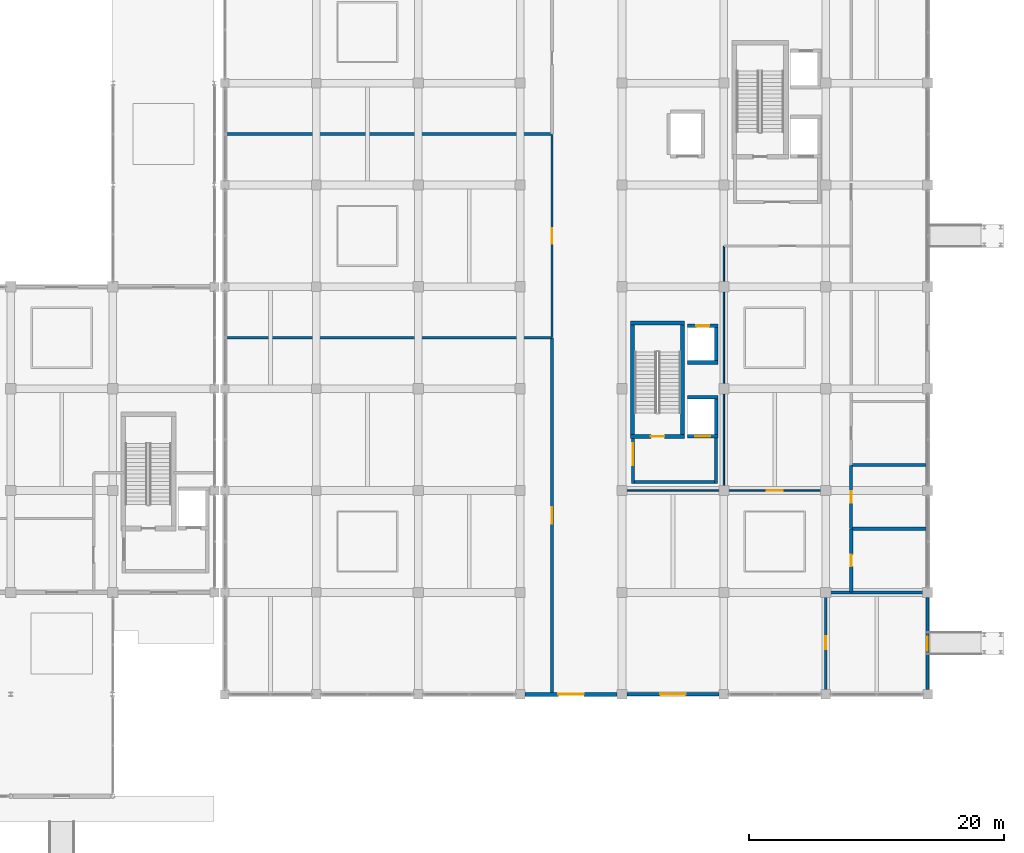
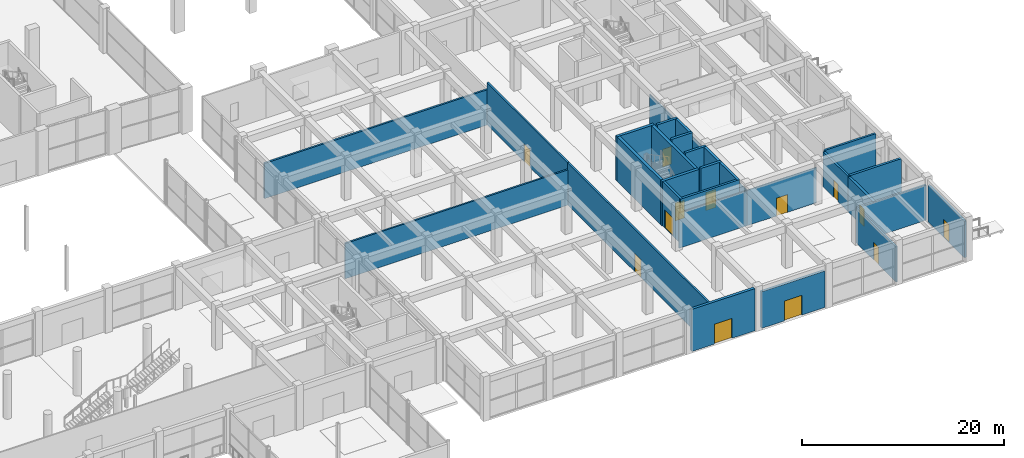
# One storey, part 60 of 86: 29 walls, 13 doors, 13 openings.
"""IFC4 building model written with IfcOpenShell, lengths in metres."""

from ifc_helpers import new_model, si_unit, direction, frame, frame_2d, origin, place, context, subcontext, project, spatial, rectangle, extrude, material, layer, layer_set, type_object, element, fill, save


model = new_model("IFC4")

# Units and contexts
model_context = context("Model", 3, precision=1e-05, world=origin(), true_north=direction((0.0, 1.0)))
body_context = subcontext(model_context, "Body", "Model", "MODEL_VIEW")
ifc_project = project(units=[si_unit("LENGTHUNIT", "METRE"), si_unit("AREAUNIT", "SQUARE_METRE"), si_unit("VOLUMEUNIT", "CUBIC_METRE"), si_unit("PLANEANGLEUNIT", "RADIAN"), si_unit("MASSUNIT", "GRAM", prefix="KILO")], contexts=[model_context])

# Site, building, storey
site_placement = place(None, origin())
site = spatial("IfcSite", under=ifc_project, at=site_placement, CompositionType="ELEMENT")
building_placement = place(site_placement, origin())
building = spatial("IfcBuilding", under=site, at=building_placement, Name="Kenh Van Central Station", CompositionType="ELEMENT")
storey_placement = place(building_placement, origin())
storey = spatial("IfcBuildingStorey", under=building, at=storey_placement, Name="L00", CompositionType="ELEMENT", Elevation=0.0)

# Wall, opening, door
ifc_material_1 = material(Name="Lightweight acoustic masonry blockwork", Category="masonry")
ifc_layer_1 = layer(ifc_material_1, 0.18994140625, Name="Lightweight acoustic masonry blockwork")
ifc_layer_set_1 = layer_set([ifc_layer_1], Name="Lightweight acoustic masonry blockwork")
wall_type_1 = type_object("IfcWallType", Name="WL-COMP-190", PredefinedType="SOLIDWALL", material=ifc_layer_set_1)
wall_1_placement = place(storey_placement, frame((146.5, 36.02001953125, 0.0), z_axis=(0.0, 0.0, 1.0), x_axis=(0.0, 1.0, 0.0)))
wall_1 = element("IfcWall", 1, at=wall_1_placement, inside=storey, type_object=wall_type_1, Name="L00 interior wall 0075", PredefinedType="SOLIDWALL", context=body_context, shape_type="SweptSolid", body=[
    extrude(rectangle(XDim=15.9599609375, YDim=0.18994140625, at=frame_2d((7.97998046875, 0.0))), origin(), (0.0, 0.0, 1.0), 5.10009765625),
])
opening_1_placement = place(wall_1_placement, frame((7.3798828125, 0.0, 0.0)))
opening_1 = element("IfcOpeningElement", 2, at=opening_1_placement, cuts=wall_1, Name="Opening D-FD60S", PredefinedType="OPENING", context=body_context, shape_type="SweptSolid", body=[
    extrude(rectangle(XDim=1.199951171875, YDim=2.14990234375, at=frame_2d((0.60009765625, 1.074951171875))), frame((0.0, 0.10498046875, 0.0), z_axis=(0.0, -1.0, 0.0), x_axis=(1.0, 0.0, 0.0)), (0.0, 0.0, 1.0), 0.2099609375),
])
ifc_material_2 = material(Name="Champagne anodised aluminium", Category="aluminium")
door_type_1 = type_object("IfcDoorType", Name="DR-FIRE-1200x2150", OperationType="NOTDEFINED", PredefinedType="DOOR", material=ifc_material_2)
door_1_placement = place(opening_1_placement, origin())
door_1 = element("IfcDoor", 3, at=door_1_placement, inside=storey, type_object=door_type_1, Name="L00 interior door 0041", OperationType="SINGLE_SWING_RIGHT", OverallHeight=2.14990234375, OverallWidth=1.199951171875, PredefinedType="DOOR", context=body_context, shape_type="SweptSolid", body=[
    extrude(rectangle(XDim=1.199951171875, YDim=2.14990234375, at=frame_2d((0.60009765625, 1.074951171875))), frame((0.0, 0.02490234375, 0.0), z_axis=(0.0, -1.0, 0.0), x_axis=(1.0, 0.0, 0.0)), (0.0, 0.0, 1.0), 0.050048828125),
])
fill(opening_1, door_1)

# Wall
wall_2_placement = place(storey_placement, frame((120.919921875, 36.0, 0.0), z_axis=(0.0, 0.0, 1.0), x_axis=(1.0, 0.0, 0.0)))
element("IfcWall", 4, at=wall_2_placement, inside=storey, type_object=wall_type_1, Name="L00 interior wall 0077", PredefinedType="SOLIDWALL", context=body_context, shape_type="SweptSolid", body=[
    extrude(rectangle(XDim=25.56005859375, YDim=0.18994140625, at=frame_2d((12.780029296875, 0.0))), origin(), (0.0, 0.0, 1.0), 4.27001953125),
])

# Wall, opening, door
wall_3_placement = place(storey_placement, frame((168.0, 8.1201171875, 0.0), z_axis=(0.0, 0.0, 1.0), x_axis=(0.0, 1.0, 0.0)))
wall_3 = element("IfcWall", 5, at=wall_3_placement, inside=storey, type_object=wall_type_1, Name="L00 interior wall 0079", PredefinedType="SOLIDWALL", context=body_context, shape_type="SweptSolid", body=[
    extrude(rectangle(XDim=7.85986328125, YDim=0.18994140625, at=frame_2d((3.929931640625, 0.0))), origin(), (0.0, 0.0, 1.0), 4.27001953125),
])
opening_2_placement = place(wall_3_placement, frame((3.405029296875, 0.0, 0.0)))
opening_2 = element("IfcOpeningElement", 6, at=opening_2_placement, cuts=wall_3, Name="Opening D-FD60", PredefinedType="OPENING", context=body_context, shape_type="SweptSolid", body=[
    extrude(rectangle(XDim=1.050048828125, YDim=2.14990234375, at=frame_2d((0.52490234375, 1.074951171875))), frame((0.0, 0.10498046875, 0.0), z_axis=(0.0, -1.0, 0.0), x_axis=(1.0, 0.0, 0.0)), (0.0, 0.0, 1.0), 0.2099609375),
])
door_type_2 = type_object("IfcDoorType", Name="DR-FIRE-1050x2150", OperationType="NOTDEFINED", PredefinedType="DOOR", material=ifc_material_2)
door_2_placement = place(opening_2_placement, origin())
door_2 = element("IfcDoor", 7, at=door_2_placement, inside=storey, type_object=door_type_2, Name="L00 interior door 0043", OperationType="SINGLE_SWING_RIGHT", OverallHeight=2.14990234375, OverallWidth=1.050048828125, PredefinedType="DOOR", context=body_context, shape_type="SweptSolid", body=[
    extrude(rectangle(XDim=1.050048828125, YDim=2.14990234375, at=frame_2d((0.52490234375, 1.074951171875))), frame((0.0, 0.02490234375, 0.0), z_axis=(0.0, -1.0, 0.0), x_axis=(1.0, 0.0, 0.0)), (0.0, 0.0, 1.0), 0.050048828125),
])
fill(opening_2, door_2)

ifc_layer_2 = layer(ifc_material_1, 0.2099609375, Name="Lightweight acoustic masonry blockwork")
ifc_layer_set_2 = layer_set([ifc_layer_2], Name="Lightweight acoustic masonry blockwork")
wall_type_2 = type_object("IfcWallType", Name="WL-COMP-210", PredefinedType="SOLIDWALL", material=ifc_layer_set_2)
wall_4_placement = place(storey_placement, frame((146.5, 8.1201171875, 0.0), z_axis=(0.0, 0.0, 1.0), x_axis=(0.0, 1.0, 0.0)))
wall_4 = element("IfcWall", 8, at=wall_4_placement, inside=storey, type_object=wall_type_2, Name="L00 interior wall 0074", PredefinedType="SOLIDWALL", context=body_context, shape_type="SweptSolid", body=[
    extrude(rectangle(XDim=27.85986328125, YDim=0.2099609375, at=frame_2d((13.929931640625, 0.0))), origin(), (0.0, 0.0, 1.0), 5.10009765625),
])
opening_3_placement = place(wall_4_placement, frame((13.280029296875, 0.0, 0.0)))
opening_3 = element("IfcOpeningElement", 9, at=opening_3_placement, cuts=wall_4, Name="Opening D-FD60P", PredefinedType="OPENING", context=body_context, shape_type="SweptSolid", body=[
    extrude(rectangle(XDim=1.300048828125, YDim=2.199951171875, at=frame_2d((0.64990234375, 1.10009765625))), frame((0.0, 0.114990234375, 0.0), z_axis=(0.0, -1.0, 0.0), x_axis=(1.0, 0.0, 0.0)), (0.0, 0.0, 1.0), 0.22998046875),
])
door_type_3 = type_object("IfcDoorType", Name="DR-FIRE-1300x2200", OperationType="NOTDEFINED", PredefinedType="DOOR", material=ifc_material_2)
door_3_placement = place(opening_3_placement, origin())
door_3 = element("IfcDoor", 10, at=door_3_placement, inside=storey, type_object=door_type_3, Name="L00 interior door 0040", OperationType="SINGLE_SWING_LEFT", OverallHeight=2.199951171875, OverallWidth=1.300048828125, PredefinedType="DOOR", context=body_context, shape_type="SweptSolid", body=[
    extrude(rectangle(XDim=1.300048828125, YDim=2.199951171875, at=frame_2d((0.64990234375, 1.10009765625))), frame((0.0, 0.02490234375, 0.0), z_axis=(0.0, -1.0, 0.0), x_axis=(1.0, 0.0, 0.0)), (0.0, 0.0, 1.0), 0.050048828125),
])
fill(opening_3, door_3)

# Walls
wall_5_placement = place(storey_placement, frame((120.919921875, 52.0, 0.0), z_axis=(0.0, 0.0, 1.0), x_axis=(1.0, 0.0, 0.0)))
element("IfcWall", 11, at=wall_5_placement, inside=storey, type_object=wall_type_2, Name="L00 interior wall 0078", PredefinedType="SOLIDWALL", context=body_context, shape_type="SweptSolid", body=[
    extrude(rectangle(XDim=25.56005859375, YDim=0.2099609375, at=frame_2d((12.780029296875, 0.0))), origin(), (0.0, 0.0, 1.0), 4.27001953125),
])
wall_6_placement = place(storey_placement, frame((168.02001953125, 16.0, 0.0), z_axis=(0.0, 0.0, 1.0), x_axis=(1.0, 0.0, 0.0)))
element("IfcWall", 12, at=wall_6_placement, inside=storey, type_object=wall_type_2, Name="L00 interior wall 0080", PredefinedType="SOLIDWALL", context=body_context, shape_type="SweptSolid", body=[
    extrude(rectangle(XDim=7.85986328125, YDim=0.2099609375, at=frame_2d((3.929931640625, 0.0))), origin(), (0.0, 0.0, 1.0), 4.27001953125),
])

# Wall, opening, door
ifc_material_3 = material(Name="Concrete C40/50", Category="concrete")
ifc_layer_3 = layer(ifc_material_3, 0.280029296875, Name="Concrete C40/50")
ifc_layer_set_3 = layer_set([ifc_layer_3], Name="Concrete C40/50")
wall_type_3 = type_object("IfcWallType", Name="WL-CORE-280", PredefinedType="SHEAR", material=ifc_layer_set_3)
wall_7_placement = place(storey_placement, frame((157.14990234375, 28.260009765625, 0.0), z_axis=(0.0, 0.0, 1.0), x_axis=(1.0, 0.0, 0.0)))
wall_7 = element("IfcWall", 13, at=wall_7_placement, inside=storey, type_object=wall_type_3, Name="L00 LIFT-FF1 shaft wall S", PredefinedType="SHEAR", context=body_context, shape_type="SweptSolid", body=[
    extrude(rectangle(XDim=2.380126953125, YDim=0.280029296875, at=frame_2d((1.18994140625, 0.0))), origin(), (0.0, 0.0, 1.0), 5.39990234375),
])
opening_4_placement = place(wall_7_placement, frame((0.614990234375, 0.0, 0.0)))
opening_4 = element("IfcOpeningElement", 14, at=opening_4_placement, cuts=wall_7, Name="Opening LD-FF1", PredefinedType="OPENING", context=body_context, shape_type="SweptSolid", body=[
    extrude(rectangle(XDim=1.14990234375, YDim=2.199951171875, at=frame_2d((0.574951171875, 1.10009765625))), frame((0.0, 0.14990234375, 0.0), z_axis=(0.0, -1.0, 0.0), x_axis=(1.0, 0.0, 0.0)), (0.0, 0.0, 1.0), 0.300048828125),
])
door_type_4 = type_object("IfcDoorType", Name="DR-LIFT-1150x2200", OperationType="SLIDING_TO_LEFT", PredefinedType="DOOR", material=ifc_material_2)
door_4_placement = place(opening_4_placement, origin())
door_4 = element("IfcDoor", 15, at=door_4_placement, inside=storey, type_object=door_type_4, Name="L00 LIFT-FF1 sliding landing door", OperationType="SLIDING_TO_LEFT", OverallHeight=2.199951171875, OverallWidth=1.14990234375, PredefinedType="DOOR", context=body_context, shape_type="SweptSolid", body=[
    extrude(rectangle(XDim=1.14990234375, YDim=2.199951171875, at=frame_2d((0.574951171875, 1.10009765625))), frame((0.0, 0.02490234375, 0.0), z_axis=(0.0, -1.0, 0.0), x_axis=(1.0, 0.0, 0.0)), (0.0, 0.0, 1.0), 0.050048828125),
])
fill(opening_4, door_4)

# Walls
wall_8_placement = place(storey_placement, frame((157.14990234375, 31.340087890625, 0.0), z_axis=(0.0, 0.0, 1.0), x_axis=(1.0, 0.0, 0.0)))
element("IfcWall", 16, at=wall_8_placement, inside=storey, type_object=wall_type_3, Name="L00 LIFT-FF1 shaft wall N", PredefinedType="SHEAR", context=body_context, shape_type="SweptSolid", body=[
    extrude(rectangle(XDim=2.380126953125, YDim=0.280029296875, at=frame_2d((1.18994140625, 0.0))), origin(), (0.0, 0.0, 1.0), 5.39990234375),
])
wall_9_placement = place(storey_placement, frame((159.389892578125, 28.39990234375, 0.0), z_axis=(0.0, 0.0, 1.0), x_axis=(0.0, 1.0, 0.0)))
element("IfcWall", 17, at=wall_9_placement, inside=storey, type_object=wall_type_3, Name="L00 LIFT-FF1 shaft wall E", PredefinedType="SHEAR", context=body_context, shape_type="SweptSolid", body=[
    extrude(rectangle(XDim=2.800048828125, YDim=0.280029296875, at=frame_2d((1.39990234375, 0.0))), origin(), (0.0, 0.0, 1.0), 5.39990234375),
])
wall_10_placement = place(storey_placement, frame((157.14990234375, 34.06005859375, 0.0), z_axis=(0.0, 0.0, 1.0), x_axis=(1.0, 0.0, 0.0)))
element("IfcWall", 18, at=wall_10_placement, inside=storey, type_object=wall_type_3, Name="L00 LIFT-OP1 shaft wall S", PredefinedType="SHEAR", context=body_context, shape_type="SweptSolid", body=[
    extrude(rectangle(XDim=2.380126953125, YDim=0.280029296875, at=frame_2d((1.18994140625, 0.0))), origin(), (0.0, 0.0, 1.0), 5.39990234375),
])

# Wall, opening, door
wall_11_placement = place(storey_placement, frame((157.14990234375, 36.93994140625, 0.0), z_axis=(0.0, 0.0, 1.0), x_axis=(1.0, 0.0, 0.0)))
wall_11 = element("IfcWall", 19, at=wall_11_placement, inside=storey, type_object=wall_type_3, Name="L00 LIFT-OP1 shaft wall N", PredefinedType="SHEAR", context=body_context, shape_type="SweptSolid", body=[
    extrude(rectangle(XDim=2.380126953125, YDim=0.280029296875, at=frame_2d((1.18994140625, 0.0))), origin(), (0.0, 0.0, 1.0), 5.39990234375),
])
opening_5_placement = place(wall_11_placement, frame((0.68994140625, 0.0, 0.0)))
opening_5 = element("IfcOpeningElement", 20, at=opening_5_placement, cuts=wall_11, Name="Opening LD-OP1", PredefinedType="OPENING", context=body_context, shape_type="SweptSolid", body=[
    extrude(rectangle(XDim=1.0, YDim=2.14990234375, at=frame_2d((0.5, 1.074951171875))), frame((0.0, 0.14990234375, 0.0), z_axis=(0.0, -1.0, 0.0), x_axis=(1.0, 0.0, 0.0)), (0.0, 0.0, 1.0), 0.300048828125),
])
door_type_5 = type_object("IfcDoorType", Name="DR-LIFT-1000x2150", OperationType="SLIDING_TO_LEFT", PredefinedType="DOOR", material=ifc_material_2)
door_5_placement = place(opening_5_placement, origin())
door_5 = element("IfcDoor", 21, at=door_5_placement, inside=storey, type_object=door_type_5, Name="L00 LIFT-OP1 sliding landing door", OperationType="SLIDING_TO_LEFT", OverallHeight=2.14990234375, OverallWidth=1.0, PredefinedType="DOOR", context=body_context, shape_type="SweptSolid", body=[
    extrude(rectangle(XDim=1.0, YDim=2.14990234375, at=frame_2d((0.5, 1.074951171875))), frame((0.0, 0.02490234375, 0.0), z_axis=(0.0, -1.0, 0.0), x_axis=(1.0, 0.0, 0.0)), (0.0, 0.0, 1.0), 0.050048828125),
])
fill(opening_5, door_5)

# Wall
wall_12_placement = place(storey_placement, frame((159.389892578125, 34.199951171875, 0.0), z_axis=(0.0, 0.0, 1.0), x_axis=(0.0, 1.0, 0.0)))
element("IfcWall", 22, at=wall_12_placement, inside=storey, type_object=wall_type_3, Name="L00 LIFT-OP1 shaft wall E", PredefinedType="SHEAR", context=body_context, shape_type="SweptSolid", body=[
    extrude(rectangle(XDim=2.60009765625, YDim=0.280029296875, at=frame_2d((1.300048828125, 0.0))), origin(), (0.0, 0.0, 1.0), 5.39990234375),
])

# Wall, opening, door
ifc_layer_4 = layer(ifc_material_3, 0.320068359375, Name="Concrete C40/50")
ifc_layer_set_4 = layer_set([ifc_layer_4], Name="Concrete C40/50")
wall_type_4 = type_object("IfcWallType", Name="WL-CORE-320", PredefinedType="SHEAR", material=ifc_layer_set_4)
wall_13_placement = place(storey_placement, frame((152.679931640625, 28.239990234375, 0.0), z_axis=(0.0, 0.0, 1.0), x_axis=(1.0, 0.0, 0.0)))
wall_13 = element("IfcWall", 23, at=wall_13_placement, inside=storey, type_object=wall_type_4, Name="L00 CORE-09 stair wall S", PredefinedType="SHEAR", context=body_context, shape_type="SweptSolid", body=[
    extrude(rectangle(XDim=4.239990234375, YDim=0.320068359375, at=frame_2d((2.1201171875, 0.0))), origin(), (0.0, 0.0, 1.0), 5.39990234375),
])
opening_6_placement = place(wall_13_placement, frame((1.594970703125, 0.0, 0.0)))
opening_6 = element("IfcOpeningElement", 24, at=opening_6_placement, cuts=wall_13, Name="Opening D-FD60", PredefinedType="OPENING", context=body_context, shape_type="SweptSolid", body=[
    extrude(rectangle(XDim=1.050048828125, YDim=2.14990234375, at=frame_2d((0.52490234375, 1.074951171875))), frame((0.0, 0.169921875, 0.0), z_axis=(0.0, -1.0, 0.0), x_axis=(1.0, 0.0, 0.0)), (0.0, 0.0, 1.0), 0.340087890625),
])
door_6_placement = place(opening_6_placement, origin())
door_6 = element("IfcDoor", 25, at=door_6_placement, inside=storey, type_object=door_type_2, Name="L00 ST-09 stair door", OperationType="SINGLE_SWING_RIGHT", OverallHeight=2.14990234375, OverallWidth=1.050048828125, PredefinedType="DOOR", context=body_context, shape_type="SweptSolid", body=[
    extrude(rectangle(XDim=1.050048828125, YDim=2.14990234375, at=frame_2d((0.52490234375, 1.074951171875))), frame((0.0, 0.02490234375, 0.0), z_axis=(0.0, -1.0, 0.0), x_axis=(1.0, 0.0, 0.0)), (0.0, 0.0, 1.0), 0.050048828125),
])
fill(opening_6, door_6)

# Walls
wall_14_placement = place(storey_placement, frame((152.679931640625, 37.159912109375, 0.0), z_axis=(0.0, 0.0, 1.0), x_axis=(1.0, 0.0, 0.0)))
element("IfcWall", 26, at=wall_14_placement, inside=storey, type_object=wall_type_4, Name="L00 CORE-09 stair wall N", PredefinedType="SHEAR", context=body_context, shape_type="SweptSolid", body=[
    extrude(rectangle(XDim=4.239990234375, YDim=0.320068359375, at=frame_2d((2.1201171875, 0.0))), origin(), (0.0, 0.0, 1.0), 5.39990234375),
])
for number, where, z_axis, x_axis, name in (
    (27, (152.840087890625, 28.39990234375, 0.0), (0.0, 0.0, 1.0), (0.0, 1.0, 0.0), "L00 CORE-09 stair wall W"),
    (28, (156.760009765625, 28.39990234375, 0.0), (0.0, 0.0, 1.0), (0.0, 1.0, 0.0), "L00 CORE-09 stair wall E"),
):
    element("IfcWall", number, at=place(storey_placement, frame(where, z_axis=z_axis, x_axis=x_axis)), inside=storey, type_object=wall_type_4, Name=name, PredefinedType="SHEAR", context=body_context, shape_type="SweptSolid", body=[
        extrude(rectangle(XDim=8.60009765625, YDim=0.320068359375, at=frame_2d((4.300048828125, 0.0))), origin(), (0.0, 0.0, 1.0), 5.39990234375),
    ])

# Wall, opening, door
ifc_material_4 = material(Name="Saigon buff sandstone and terracotta masonry", Category="masonry")
ifc_layer_5 = layer(ifc_material_4, 0.2900390625, Name="Saigon buff sandstone and terracotta masonry")
ifc_layer_set_5 = layer_set([ifc_layer_5], Name="Saigon buff sandstone and terracotta masonry")
wall_type_5 = type_object("IfcWallType", Name="WL-EXT-290", PredefinedType="STANDARD", material=ifc_layer_set_5)
wall_15_placement = place(storey_placement, frame((152.375, 8.0, 0.0), z_axis=(0.0, 0.0, 1.0), x_axis=(1.0, 0.0, 0.0)))
wall_15 = element("IfcWall", 29, at=wall_15_placement, inside=storey, type_object=wall_type_5, Name="L00 exterior wall 036", PredefinedType="STANDARD", context=body_context, shape_type="SweptSolid", body=[
    extrude(rectangle(XDim=7.25, YDim=0.2900390625, at=frame_2d((3.625, 0.0))), origin(), (0.0, 0.0, 1.0), 4.419921875),
])
opening_7_placement = place(wall_15_placement, frame((2.625, 0.0, 0.0)))
opening_7 = element("IfcOpeningElement", 30, at=opening_7_placement, cuts=wall_15, Name="Opening D-EX3", PredefinedType="OPENING", context=body_context, shape_type="SweptSolid", body=[
    extrude(rectangle(XDim=2.0, YDim=2.39990234375, at=frame_2d((1.0, 1.199951171875))), frame((0.0, 0.155029296875, 0.0), z_axis=(0.0, -1.0, 0.0), x_axis=(1.0, 0.0, 0.0)), (0.0, 0.0, 1.0), 0.31005859375),
])
door_type_6 = type_object("IfcDoorType", Name="DR-EXT-2000x2400", OperationType="DOUBLE_DOOR_SINGLE_SWING", PredefinedType="DOOR", material=ifc_material_2)
door_7_placement = place(opening_7_placement, frame((2.0, 0.0, 0.0), z_axis=(0.0, 0.0, 1.0), x_axis=(-1.0, 0.0, 0.0)))
door_7 = element("IfcDoor", 31, at=door_7_placement, inside=storey, type_object=door_type_6, Name="L00 exterior door 024", OperationType="DOUBLE_DOOR_SINGLE_SWING", OverallHeight=2.39990234375, OverallWidth=2.0, PredefinedType="DOOR", context=body_context, shape_type="SweptSolid", body=[
    extrude(rectangle(XDim=2.0, YDim=2.39990234375, at=frame_2d((-1.0, 1.199951171875))), frame((0.0, -0.02490234375, 0.0), z_axis=(0.0, 1.0, 0.0), x_axis=(-1.0, 0.0, 0.0)), (0.0, 0.0, 1.0), 0.050048828125),
])
fill(opening_7, door_7)

ifc_layer_6 = layer(ifc_material_4, 0.31005859375, Name="Saigon buff sandstone and terracotta masonry")
ifc_layer_set_6 = layer_set([ifc_layer_6], Name="Saigon buff sandstone and terracotta masonry")
wall_type_6 = type_object("IfcWallType", Name="WL-EXT-310", PredefinedType="STANDARD", material=ifc_layer_set_6)
wall_16_placement = place(storey_placement, frame((144.375, 8.0, 0.0), z_axis=(0.0, 0.0, 1.0), x_axis=(1.0, 0.0, 0.0)))
wall_16 = element("IfcWall", 32, at=wall_16_placement, inside=storey, type_object=wall_type_6, Name="L00 exterior wall 035", PredefinedType="STANDARD", context=body_context, shape_type="SweptSolid", body=[
    extrude(rectangle(XDim=7.25, YDim=0.31005859375, at=frame_2d((3.625, 0.0))), origin(), (0.0, 0.0, 1.0), 5.10009765625),
])
opening_8_placement = place(wall_16_placement, frame((2.625, 0.0, 0.0)))
opening_8 = element("IfcOpeningElement", 33, at=opening_8_placement, cuts=wall_16, Name="Opening D-EX3", PredefinedType="OPENING", context=body_context, shape_type="SweptSolid", body=[
    extrude(rectangle(XDim=2.0, YDim=2.39990234375, at=frame_2d((1.0, 1.199951171875))), frame((0.0, 0.1650390625, 0.0), z_axis=(0.0, -1.0, 0.0), x_axis=(1.0, 0.0, 0.0)), (0.0, 0.0, 1.0), 0.330078125),
])
door_8_placement = place(opening_8_placement, frame((2.0, 0.0, 0.0), z_axis=(0.0, 0.0, 1.0), x_axis=(-1.0, 0.0, 0.0)))
door_8 = element("IfcDoor", 34, at=door_8_placement, inside=storey, type_object=door_type_6, Name="L00 exterior door 023", OperationType="DOUBLE_DOOR_SINGLE_SWING", OverallHeight=2.39990234375, OverallWidth=2.0, PredefinedType="DOOR", context=body_context, shape_type="SweptSolid", body=[
    extrude(rectangle(XDim=2.0, YDim=2.39990234375, at=frame_2d((-1.0, 1.199951171875))), frame((0.0, -0.02490234375, 0.0), z_axis=(0.0, 1.0, 0.0), x_axis=(-1.0, 0.0, 0.0)), (0.0, 0.0, 1.0), 0.050048828125),
])
fill(opening_8, door_8)

# Wall
ifc_layer_7 = layer(ifc_material_3, 0.260009765625, Name="Concrete C40/50")
ifc_layer_set_7 = layer_set([ifc_layer_7], Name="Concrete C40/50")
wall_type_7 = type_object("IfcWallType", Name="WL-FIRE-260", PredefinedType="SHEAR", material=ifc_layer_set_7)
wall_17_placement = place(storey_placement, frame((159.510009765625, 24.669921875, 0.0), z_axis=(0.0, 0.0, 1.0), x_axis=(-1.0, 0.0, 0.0)))
element("IfcWall", 35, at=wall_17_placement, inside=storey, type_object=wall_type_7, Name="L00 CORE-09 lobby wall S", PredefinedType="SHEAR", context=body_context, shape_type="SweptSolid", body=[
    extrude(rectangle(XDim=6.77001953125, YDim=0.260009765625, at=frame_2d((3.385009765625, 0.0))), origin(), (0.0, 0.0, 1.0), 5.39990234375),
])

# Wall, opening, door
wall_18_placement = place(storey_placement, frame((152.8701171875, 24.5400390625, 0.0), z_axis=(0.0, 0.0, 1.0), x_axis=(0.0, 1.0, 0.0)))
wall_18 = element("IfcWall", 36, at=wall_18_placement, inside=storey, type_object=wall_type_7, Name="L00 CORE-09 lobby wall W", PredefinedType="SHEAR", context=body_context, shape_type="SweptSolid", body=[
    extrude(rectangle(XDim=3.85986328125, YDim=0.260009765625, at=frame_2d((1.929931640625, 0.0))), origin(), (0.0, 0.0, 1.0), 5.39990234375),
])
opening_9_placement = place(wall_18_placement, frame((1.4599609375, 0.0, 0.0)))
opening_9 = element("IfcOpeningElement", 37, at=opening_9_placement, cuts=wall_18, Name="Opening D-FD60D", PredefinedType="OPENING", context=body_context, shape_type="SweptSolid", body=[
    extrude(rectangle(XDim=1.699951171875, YDim=2.199951171875, at=frame_2d((0.85009765625, 1.10009765625))), frame((0.0, 0.139892578125, 0.0), z_axis=(0.0, -1.0, 0.0), x_axis=(1.0, 0.0, 0.0)), (0.0, 0.0, 1.0), 0.280029296875),
])
door_type_7 = type_object("IfcDoorType", Name="DR-FIRE-1700x2200", OperationType="DOUBLE_DOOR_SINGLE_SWING", PredefinedType="DOOR", material=ifc_material_2)
door_9_placement = place(opening_9_placement, origin())
door_9 = element("IfcDoor", 38, at=door_9_placement, inside=storey, type_object=door_type_7, Name="L00 CORE-09 smoke-stop lobby door", OperationType="DOUBLE_DOOR_SINGLE_SWING", OverallHeight=2.199951171875, OverallWidth=1.699951171875, PredefinedType="DOOR", context=body_context, shape_type="SweptSolid", body=[
    extrude(rectangle(XDim=1.699951171875, YDim=2.199951171875, at=frame_2d((0.85009765625, 1.10009765625))), frame((0.0, 0.02490234375, 0.0), z_axis=(0.0, -1.0, 0.0), x_axis=(1.0, 0.0, 0.0)), (0.0, 0.0, 1.0), 0.050048828125),
])
fill(opening_9, door_9)

# Walls
wall_19_placement = place(storey_placement, frame((159.3798828125, 24.5400390625, 0.0), z_axis=(0.0, 0.0, 1.0), x_axis=(0.0, 1.0, 0.0)))
element("IfcWall", 39, at=wall_19_placement, inside=storey, type_object=wall_type_7, Name="L00 CORE-09 lobby wall E", PredefinedType="SHEAR", context=body_context, shape_type="SweptSolid", body=[
    extrude(rectangle(XDim=3.85986328125, YDim=0.260009765625, at=frame_2d((1.929931640625, 0.0))), origin(), (0.0, 0.0, 1.0), 5.39990234375),
])
ifc_layer_8 = layer(ifc_material_1, 0.10009765625, Name="Lightweight acoustic masonry blockwork")
ifc_layer_set_8 = layer_set([ifc_layer_8], Name="Lightweight acoustic masonry blockwork")
wall_type_8 = type_object("IfcWallType", Name="WL-PART-100", PredefinedType="PARTITIONING", material=ifc_layer_set_8)
wall_20_placement = place(storey_placement, frame((160.0, 24.02001953125, 0.0), z_axis=(0.0, 0.0, 1.0), x_axis=(0.0, 1.0, 0.0)))
element("IfcWall", 40, at=wall_20_placement, inside=storey, type_object=wall_type_8, Name="L00 interior wall 0083", PredefinedType="PARTITIONING", context=body_context, shape_type="SweptSolid", body=[
    extrude(rectangle(XDim=19.159912109375, YDim=0.10009765625, at=frame_2d((9.580078125, 0.0))), origin(), (0.0, 0.0, 1.0), 4.27001953125),
])

# Wall, opening, door
ifc_layer_9 = layer(ifc_material_1, 0.114990234375, Name="Lightweight acoustic masonry blockwork")
ifc_layer_set_9 = layer_set([ifc_layer_9], Name="Lightweight acoustic masonry blockwork")
wall_type_9 = type_object("IfcWallType", Name="WL-PART-115", PredefinedType="PARTITIONING", material=ifc_layer_set_9)
wall_21_placement = place(storey_placement, frame((160.02001953125, 24.0, 0.0), z_axis=(0.0, 0.0, 1.0), x_axis=(1.0, 0.0, 0.0)))
wall_21 = element("IfcWall", 41, at=wall_21_placement, inside=storey, type_object=wall_type_9, Name="L00 interior wall 0082", PredefinedType="PARTITIONING", context=body_context, shape_type="SweptSolid", body=[
    extrude(rectangle(XDim=7.9599609375, YDim=0.114990234375, at=frame_2d((3.97998046875, 0.0))), origin(), (0.0, 0.0, 1.0), 4.27001953125),
])
opening_10_placement = place(wall_21_placement, frame((3.35498046875, 0.0, 0.0)))
opening_10 = element("IfcOpeningElement", 42, at=opening_10_placement, cuts=wall_21, Name="Opening D-IN04", PredefinedType="OPENING", context=body_context, shape_type="SweptSolid", body=[
    extrude(rectangle(XDim=1.25, YDim=2.14990234375, at=frame_2d((0.625, 1.074951171875))), frame((0.0, 0.0673828125, 0.0), z_axis=(0.0, -1.0, 0.0), x_axis=(1.0, 0.0, 0.0)), (0.0, 0.0, 1.0), 0.135009765625),
])
ifc_material_5 = material(Name="Architectural hardwood timber", Category="wood")
door_type_8 = type_object("IfcDoorType", Name="DR-INT-1250x2150", OperationType="NOTDEFINED", PredefinedType="DOOR", material=ifc_material_5)
door_10_placement = place(opening_10_placement, origin())
door_10 = element("IfcDoor", 43, at=door_10_placement, inside=storey, type_object=door_type_8, Name="L00 interior door 0044", OperationType="SINGLE_SWING_LEFT", OverallHeight=2.14990234375, OverallWidth=1.25, PredefinedType="DOOR", context=body_context, shape_type="SweptSolid", body=[
    extrude(rectangle(XDim=1.25, YDim=2.14990234375, at=frame_2d((0.625, 1.074951171875))), frame((0.0, 0.02490234375, 0.0), z_axis=(0.0, -1.0, 0.0), x_axis=(1.0, 0.0, 0.0)), (0.0, 0.0, 1.0), 0.050048828125),
])
fill(opening_10, door_10)

# Wall
ifc_layer_10 = layer(ifc_material_1, 0.125, Name="Lightweight acoustic masonry blockwork")
ifc_layer_set_10 = layer_set([ifc_layer_10], Name="Lightweight acoustic masonry blockwork")
wall_type_10 = type_object("IfcWallType", Name="WL-PART-125", PredefinedType="PARTITIONING", material=ifc_layer_set_10)
wall_22_placement = place(storey_placement, frame((152.219970703125, 24.0, 0.0), z_axis=(0.0, 0.0, 1.0), x_axis=(1.0, 0.0, 0.0)))
element("IfcWall", 44, at=wall_22_placement, inside=storey, type_object=wall_type_10, Name="L00 interior wall 0081", PredefinedType="PARTITIONING", context=body_context, shape_type="SweptSolid", body=[
    extrude(rectangle(XDim=7.760009765625, YDim=0.125, at=frame_2d((3.8798828125, 0.0))), origin(), (0.0, 0.0, 1.0), 4.27001953125),
])

# Wall, opening, door
ifc_layer_11 = layer(ifc_material_1, 0.22998046875, Name="Lightweight acoustic masonry blockwork")
ifc_layer_set_11 = layer_set([ifc_layer_11], Name="Lightweight acoustic masonry blockwork")
wall_type_11 = type_object("IfcWallType", Name="WL-PLMB-230", PredefinedType="PLUMBINGWALL", material=ifc_layer_set_11)
wall_23_placement = place(storey_placement, frame((170.0, 21.02001953125, 0.0), z_axis=(0.0, 0.0, 1.0), x_axis=(0.0, 1.0, 0.0)))
wall_23 = element("IfcWall", 45, at=wall_23_placement, inside=storey, type_object=wall_type_11, Name="L00 interior wall 0085", PredefinedType="PLUMBINGWALL", context=body_context, shape_type="SweptSolid", body=[
    extrude(rectangle(XDim=4.9599609375, YDim=0.22998046875, at=frame_2d((2.47998046875, 0.0))), origin(), (0.0, 0.0, 1.0), 4.27001953125),
])
opening_11_placement = place(wall_23_placement, frame((2.02001953125, 0.0, 0.0)))
opening_11 = element("IfcOpeningElement", 46, at=opening_11_placement, cuts=wall_23, Name="Opening D-IN09", PredefinedType="OPENING", context=body_context, shape_type="SweptSolid", body=[
    extrude(rectangle(XDim=0.919921875, YDim=2.10009765625, at=frame_2d((0.4599609375, 1.050048828125))), frame((0.0, 0.125, 0.0), z_axis=(0.0, -1.0, 0.0), x_axis=(1.0, 0.0, 0.0)), (0.0, 0.0, 1.0), 0.25),
])
door_type_9 = type_object("IfcDoorType", Name="DR-INT-920x2100", OperationType="NOTDEFINED", PredefinedType="DOOR", material=ifc_material_5)
door_11_placement = place(opening_11_placement, origin())
door_11 = element("IfcDoor", 47, at=door_11_placement, inside=storey, type_object=door_type_9, Name="L00 interior door 0046", OperationType="SINGLE_SWING_LEFT", OverallHeight=2.10009765625, OverallWidth=0.919921875, PredefinedType="DOOR", context=body_context, shape_type="SweptSolid", body=[
    extrude(rectangle(XDim=0.919921875, YDim=2.10009765625, at=frame_2d((0.4599609375, 1.050048828125))), frame((0.0, 0.02490234375, 0.0), z_axis=(0.0, -1.0, 0.0), x_axis=(1.0, 0.0, 0.0)), (0.0, 0.0, 1.0), 0.050048828125),
])
fill(opening_11, door_11)

# Wall
wall_24_placement = place(storey_placement, frame((170.02001953125, 26.0, 0.0), z_axis=(0.0, 0.0, 1.0), x_axis=(1.0, 0.0, 0.0)))
element("IfcWall", 48, at=wall_24_placement, inside=storey, type_object=wall_type_11, Name="L00 interior wall 0088", PredefinedType="PLUMBINGWALL", context=body_context, shape_type="SweptSolid", body=[
    extrude(rectangle(XDim=5.85986328125, YDim=0.22998046875, at=frame_2d((2.929931640625, 0.0))), origin(), (0.0, 0.0, 1.0), 4.419921875),
])

# Wall, opening, door
ifc_layer_12 = layer(ifc_material_1, 0.27001953125, Name="Lightweight acoustic masonry blockwork")
ifc_layer_set_12 = layer_set([ifc_layer_12], Name="Lightweight acoustic masonry blockwork")
wall_type_12 = type_object("IfcWallType", Name="WL-PLMB-270", PredefinedType="PLUMBINGWALL", material=ifc_layer_set_12)
wall_25_placement = place(storey_placement, frame((170.0, 16.02001953125, 0.0), z_axis=(0.0, 0.0, 1.0), x_axis=(0.0, 1.0, 0.0)))
wall_25 = element("IfcWall", 49, at=wall_25_placement, inside=storey, type_object=wall_type_12, Name="L00 interior wall 0084", PredefinedType="PLUMBINGWALL", context=body_context, shape_type="SweptSolid", body=[
    extrude(rectangle(XDim=4.9599609375, YDim=0.27001953125, at=frame_2d((2.47998046875, 0.0))), origin(), (0.0, 0.0, 1.0), 4.27001953125),
])
opening_12_placement = place(wall_25_placement, frame((2.02001953125, 0.0, 0.0)))
opening_12 = element("IfcOpeningElement", 50, at=opening_12_placement, cuts=wall_25, Name="Opening D-IN09", PredefinedType="OPENING", context=body_context, shape_type="SweptSolid", body=[
    extrude(rectangle(XDim=0.919921875, YDim=2.10009765625, at=frame_2d((0.4599609375, 1.050048828125))), frame((0.0, 0.14501953125, 0.0), z_axis=(0.0, -1.0, 0.0), x_axis=(1.0, 0.0, 0.0)), (0.0, 0.0, 1.0), 0.2900390625),
])
door_12_placement = place(opening_12_placement, origin())
door_12 = element("IfcDoor", 51, at=door_12_placement, inside=storey, type_object=door_type_9, Name="L00 interior door 0045", OperationType="SINGLE_SWING_RIGHT", OverallHeight=2.10009765625, OverallWidth=0.919921875, PredefinedType="DOOR", context=body_context, shape_type="SweptSolid", body=[
    extrude(rectangle(XDim=0.919921875, YDim=2.10009765625, at=frame_2d((0.4599609375, 1.050048828125))), frame((0.0, 0.02490234375, 0.0), z_axis=(0.0, -1.0, 0.0), x_axis=(1.0, 0.0, 0.0)), (0.0, 0.0, 1.0), 0.050048828125),
])
fill(opening_12, door_12)

# Wall
wall_26_placement = place(storey_placement, frame((170.02001953125, 21.0, 0.0), z_axis=(0.0, 0.0, 1.0), x_axis=(1.0, 0.0, 0.0)))
element("IfcWall", 52, at=wall_26_placement, inside=storey, type_object=wall_type_12, Name="L00 interior wall 0087", PredefinedType="PLUMBINGWALL", context=body_context, shape_type="SweptSolid", body=[
    extrude(rectangle(XDim=5.85986328125, YDim=0.27001953125, at=frame_2d((2.929931640625, 0.0))), origin(), (0.0, 0.0, 1.0), 4.419921875),
])

# Wall, opening, door
ifc_material_6 = material(Name="Glazed terracotta architectural masonry", Category="masonry")
ifc_layer_13 = layer(ifc_material_6, 0.239990234375, Name="Glazed terracotta architectural masonry")
ifc_layer_set_13 = layer_set([ifc_layer_13], Name="Glazed terracotta architectural masonry")
wall_type_13 = type_object("IfcWallType", Name="WL-SLD-240", PredefinedType="SOLIDWALL", material=ifc_layer_set_13)
wall_27_placement = place(storey_placement, frame((176.0, 8.375, 0.0), z_axis=(0.0, 0.0, 1.0), x_axis=(0.0, 1.0, 0.0)))
wall_27 = element("IfcWall", 53, at=wall_27_placement, inside=storey, type_object=wall_type_13, Name="L00 exterior wall 037", PredefinedType="SOLIDWALL", context=body_context, shape_type="SweptSolid", body=[
    extrude(rectangle(XDim=7.22509765625, YDim=0.239990234375, at=frame_2d((3.612548828125, 0.0))), origin(), (0.0, 0.0, 1.0), 4.419921875),
])
opening_13_placement = place(wall_27_placement, frame((3.0625, 0.0, 0.0)))
opening_13 = element("IfcOpeningElement", 54, at=opening_13_placement, cuts=wall_27, Name="Opening D-EX8", PredefinedType="OPENING", context=body_context, shape_type="SweptSolid", body=[
    extrude(rectangle(XDim=1.10009765625, YDim=2.199951171875, at=frame_2d((0.550048828125, 1.10009765625))), frame((0.0, 0.1298828125, 0.0), z_axis=(0.0, -1.0, 0.0), x_axis=(1.0, 0.0, 0.0)), (0.0, 0.0, 1.0), 0.260009765625),
])
door_type_10 = type_object("IfcDoorType", Name="DR-EXT-1100x2200", OperationType="NOTDEFINED", PredefinedType="DOOR", material=ifc_material_2)
door_13_placement = place(opening_13_placement, frame((1.10009765625, 0.0, 0.0), z_axis=(0.0, 0.0, 1.0), x_axis=(-1.0, 0.0, 0.0)))
door_13 = element("IfcDoor", 55, at=door_13_placement, inside=storey, type_object=door_type_10, Name="L00 exterior door 025", OperationType="SINGLE_SWING_LEFT", OverallHeight=2.199951171875, OverallWidth=1.10009765625, PredefinedType="DOOR", context=body_context, shape_type="SweptSolid", body=[
    extrude(rectangle(XDim=1.10009765625, YDim=2.199951171875, at=frame_2d((-0.550048828125, 1.10009765625))), frame((0.0, -0.02490234375, 0.0), z_axis=(0.0, 1.0, 0.0), x_axis=(-1.0, 0.0, 0.0)), (0.0, 0.0, 1.0), 0.050048828125),
])
fill(opening_13, door_13)

save(model, "model.ifc")
